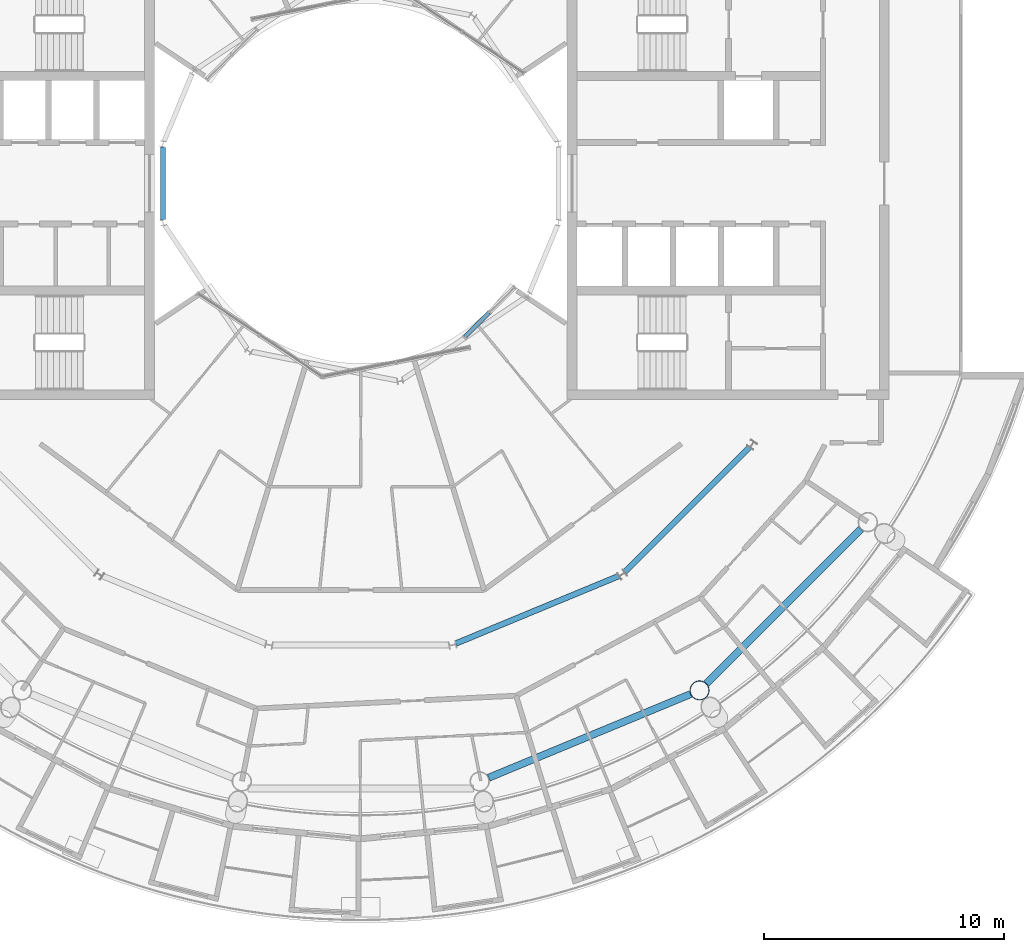
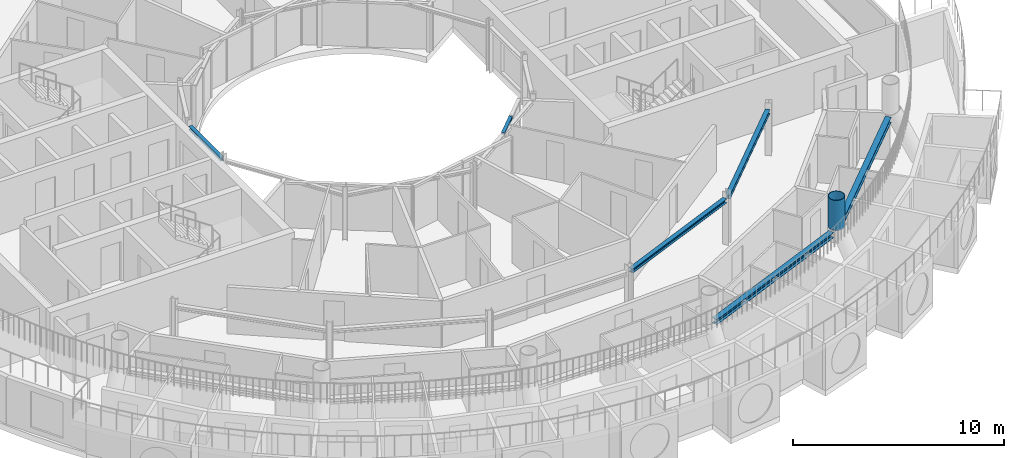
# One storey, part 7 of 29: 5 beams, 2 members, 1 element without a shape of its own.
"""IFC4 building model written with IfcOpenShell, lengths in metres."""

from ifc_helpers import new_model, si_unit, direction, frame, origin, origin_2d, place, context, subcontext, project, spatial, rectangle, hollow_circle, i_section, extrude, material, layer, layer_set, material_profile, profile_set, type_object, element, aggregate, save


model = new_model("IFC4")

# Units and contexts
model_context = context("Model", 3, precision=1e-05, world=origin(), true_north=direction((0.0, 1.0)))
body_context = subcontext(model_context, "Body", "Model", "MODEL_VIEW")
ifc_project = project(units=[si_unit("LENGTHUNIT", "METRE"), si_unit("AREAUNIT", "SQUARE_METRE"), si_unit("VOLUMEUNIT", "CUBIC_METRE"), si_unit("PLANEANGLEUNIT", "RADIAN"), si_unit("MASSUNIT", "GRAM", prefix="KILO")], contexts=[model_context])

# Site, building, storey
site_placement = place(None, origin())
site = spatial("IfcSite", under=ifc_project, at=site_placement, CompositionType="ELEMENT")
building_placement = place(site_placement, origin())
building = spatial("IfcBuilding", under=site, at=building_placement, Name="Maasbend Ring Residences", CompositionType="ELEMENT")
storey_placement = place(building_placement, frame((0.0, 0.0, 234.050048828125)))
storey = spatial("IfcBuildingStorey", under=building, at=storey_placement, Name="L67", CompositionType="ELEMENT", Elevation=234.050048828125)

# Curtain wall, member
ifc_material_1 = material(Name="Aluminium and clear glass", Category="aluminium")
ifc_layer = layer(ifc_material_1, 0.179931640625)
ifc_layer_set = layer_set([ifc_layer], Name="CW-W")
curtain_wall_type = type_object("IfcCurtainWallType", Name="CW-W", PredefinedType="NOTDEFINED", material=ifc_layer_set)
curtain_wall_placement = place(storey_placement, origin())
curtain_wall = element("IfcCurtainWall", 1, at=curtain_wall_placement, inside=storey, type_object=curtain_wall_type, Name="Well curtain wall S3", PredefinedType="NOTDEFINED")
ifc_material_2 = material(Name="Aluminium 6063-T6", Category="aluminium")
ifc_material_profile_1 = material_profile(ifc_material_2, rectangle(XDim=0.179931640625, YDim=0.1201171875, at=origin_2d()), Name="AL 180x120")
ifc_profile_set_1 = profile_set([ifc_material_profile_1], Name="Aluminium 6063-T6")
member_type_1 = type_object("IfcMemberType", Name="CWT-W", PredefinedType="USERDEFINED", material=ifc_profile_set_1)
member_1_placement = place(storey_placement, frame((4.341796875, -6.39208984375, 2.639892578125), z_axis=(0.707106781187, 0.707106781187, 0.0), x_axis=(-0.707106781187, 0.707106781187, 0.0)))
member_1 = element("IfcMember", 2, at=member_1_placement, type_object=member_type_1, Name="Transom well face", ObjectType="TRANSOM", PredefinedType="USERDEFINED", context=body_context, shape_type="SweptSolid", body=[
    extrude(rectangle(XDim=0.179931640625, YDim=0.1201171875, at=origin_2d()), origin(), (0.0, 0.0, 1.0), 1.419677734375),
])
aggregate(curtain_wall, [member_1])

# Member
ifc_material_3 = material(Name="Steel S460NH", Category="steel")
ifc_material_profile_2 = material_profile(ifc_material_3, hollow_circle(Radius=0.406494140625, WallThickness=0.030029296875, at=origin_2d()), Name="Column node insert CHS 813x30")
ifc_profile_set_2 = profile_set([ifc_material_profile_2], Name="Steel S460NH")
member_type_2 = type_object("IfcMemberType", Name="Column node insert CHS 813x30", PredefinedType="POST", material=ifc_profile_set_2)
member_2_placement = place(storey_placement, frame((14.111572265625, -21.119384765625, 2.800048828125), z_axis=(0.0, 0.0, 1.0), x_axis=(1.0, 0.0, 0.0)))
element("IfcMember", 3, at=member_2_placement, inside=storey, type_object=member_type_2, Name="Column node insert R14", PredefinedType="POST", context=body_context, shape_type="SweptSolid", body=[
    extrude(hollow_circle(Radius=0.406494140625, WallThickness=0.030029296875, at=origin_2d()), origin(), (0.0, 0.0, 1.0), 1.75),
])

# Beams
ifc_material_4 = material(Name="Steel S355J2", Category="steel")
ifc_material_profile_3 = material_profile(ifc_material_4, i_section(OverallWidth=0.239990234375, OverallDepth=0.22998046875, WebThickness=0.007568359375, FlangeThickness=0.011962890625, FilletRadius=0.02099609375, at=origin_2d()), Name="HEA 240")
ifc_profile_set_3 = profile_set([ifc_material_profile_3], Name="Steel S355J2")
beam_type_1 = type_object("IfcBeamType", Name="Corridor ring beam HEA 240", PredefinedType="BEAM", material=ifc_profile_set_3)
beam_1_placement = place(storey_placement, frame((3.965087890625, -19.164794921875, 2.5849609375), z_axis=(0.923875784142, 0.382692481603, 0.0), x_axis=(-0.382692481603, 0.923875784142, 0.0)))
element("IfcBeam", 4, at=beam_1_placement, inside=storey, type_object=beam_type_1, Name="Corridor ring beam", PredefinedType="BEAM", context=body_context, shape_type="SweptSolid", body=[
    extrude(i_section(OverallWidth=0.239990234375, OverallDepth=0.22998046875, WebThickness=0.007568359375, FlangeThickness=0.011962890625, FilletRadius=0.02099609375, at=origin_2d()), origin(), (0.0, 0.0, 1.0), 7.341552734375),
])
beam_2_placement = place(storey_placement, frame((10.997314453125, -16.188720703125, 2.5849609375), z_axis=(0.707106781187, 0.707106781187, 0.0), x_axis=(-0.707106781187, 0.707106781187, 0.0)))
element("IfcBeam", 5, at=beam_2_placement, inside=storey, type_object=beam_type_1, Name="Corridor ring beam", PredefinedType="BEAM", context=body_context, shape_type="SweptSolid", body=[
    extrude(i_section(OverallWidth=0.239990234375, OverallDepth=0.22998046875, WebThickness=0.007568359375, FlangeThickness=0.011962890625, FilletRadius=0.02099609375, at=origin_2d()), origin(), (0.0, 0.0, 1.0), 7.341796875),
])
ifc_material_5 = material(Name="Steel S355J2", Category="steel")
ifc_material_profile_4 = material_profile(ifc_material_5, i_section(OverallWidth=0.300048828125, OverallDepth=0.300048828125, WebThickness=0.010986328125, FlangeThickness=0.01904296875, FilletRadius=0.027099609375, at=origin_2d()), Name="HEB 300")
ifc_profile_set_4 = profile_set([ifc_material_profile_4], Name="Steel S355J2")
beam_type_2 = type_object("IfcBeamType", Name="Spandrel ring beam HEB 300", PredefinedType="SPANDREL", material=ifc_profile_set_4)
for number, where, z_axis, x_axis, name in (
    (6, (5.330810546875, -24.75634765625, 2.550048828125), (0.923880768897, 0.382680447453, 0.0), (-0.382680447453, 0.923880768897, 0.0), "Spandrel ring beam"),
    (7, (14.39892578125, -20.831787109375, 2.550048828125), (0.707106781187, 0.707106781187, 0.0), (-0.707106781187, 0.707106781187, 0.0), "Spandrel ring beam"),
):
    element("IfcBeam", number, at=place(storey_placement, frame(where, z_axis=z_axis, x_axis=x_axis)), inside=storey, type_object=beam_type_2, Name=name, PredefinedType="SPANDREL", context=body_context, shape_type="SweptSolid", body=[
        extrude(i_section(OverallWidth=0.300048828125, OverallDepth=0.300048828125, WebThickness=0.010986328125, FlangeThickness=0.01904296875, FilletRadius=0.027099609375, at=origin_2d()), origin(), (0.0, 0.0, 1.0), 9.097412109375),
    ])
ifc_material_6 = material(Name="Steel S355J2", Category="steel")
ifc_material_profile_5 = material_profile(ifc_material_6, i_section(OverallWidth=0.199951171875, OverallDepth=0.18994140625, WebThickness=0.006591796875, FlangeThickness=0.010009765625, FilletRadius=0.01806640625, at=origin_2d()), Name="HEA 200")
ifc_profile_set_5 = profile_set([ifc_material_profile_5], Name="Steel S355J2")
beam_type_3 = type_object("IfcBeamType", Name="Well edge beam HEA 200", PredefinedType="BEAM", material=ifc_profile_set_5)
beam_3_placement = place(storey_placement, frame((-8.238525390625, 1.521484375, 2.60498046875), z_axis=(0.0, -1.0, 0.0), x_axis=(1.0, 0.0, 0.0)))
element("IfcBeam", 8, at=beam_3_placement, inside=storey, type_object=beam_type_3, Name="Well edge beam", PredefinedType="BEAM", context=body_context, shape_type="SweptSolid", body=[
    extrude(i_section(OverallWidth=0.199951171875, OverallDepth=0.18994140625, WebThickness=0.006591796875, FlangeThickness=0.010009765625, FilletRadius=0.01806640625, at=origin_2d()), origin(), (0.0, 0.0, 1.0), 3.04296875),
])

save(model, "model.ifc")
